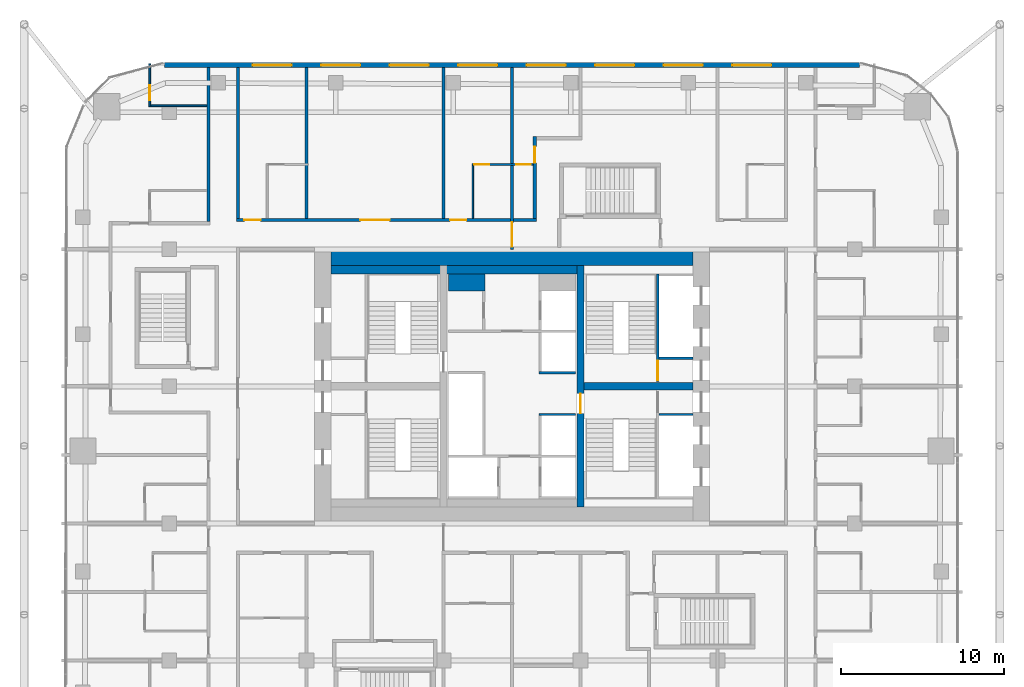
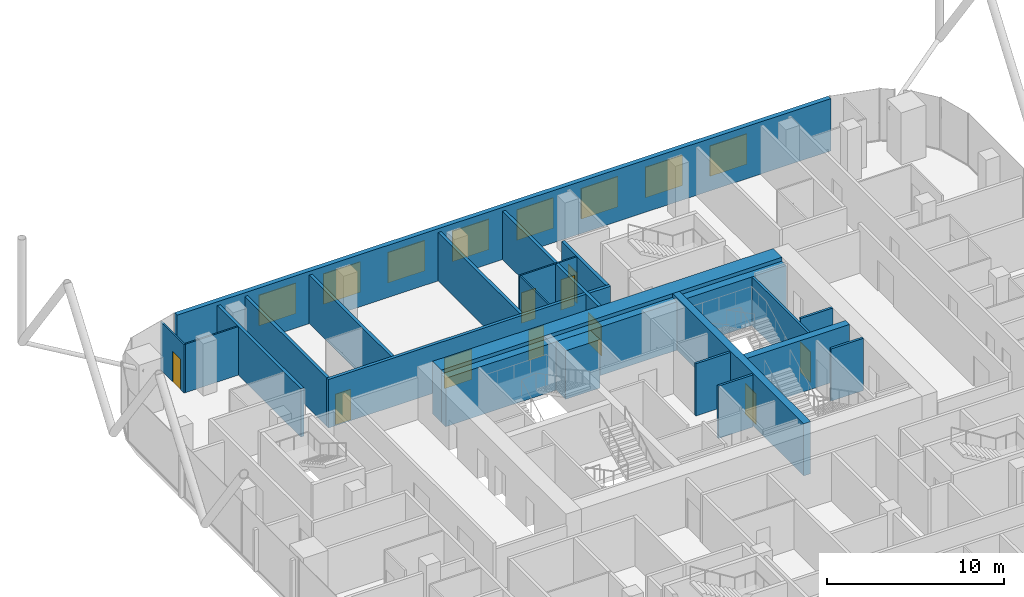
# One storey, part 29 of 33: 22 walls, 10 doors, 8 windows, 18 openings.
"""IFC4 building model written with IfcOpenShell, lengths in metres."""

from ifc_helpers import new_model, si_unit, direction, frame, frame_2d, origin, place, context, subcontext, project, spatial, rectangle, extrude, material, layer, layer_set, type_object, element, fill, save


model = new_model("IFC4")

# Units and contexts
model_context = context("Model", 3, precision=1e-05, world=origin(), true_north=direction((0.0, 1.0)))
body_context = subcontext(model_context, "Body", "Model", "MODEL_VIEW")
ifc_project = project(units=[si_unit("LENGTHUNIT", "METRE"), si_unit("AREAUNIT", "SQUARE_METRE"), si_unit("VOLUMEUNIT", "CUBIC_METRE"), si_unit("PLANEANGLEUNIT", "RADIAN"), si_unit("MASSUNIT", "GRAM", prefix="KILO")], contexts=[model_context])

# Site, building, storey
site_placement = place(None, origin())
site = spatial("IfcSite", under=ifc_project, at=site_placement, CompositionType="ELEMENT")
building_placement = place(site_placement, origin())
building = spatial("IfcBuilding", under=site, at=building_placement, Name="Marenta Gate Hotel Tower", CompositionType="ELEMENT")
storey_placement = place(building_placement, frame((0.0, 0.0, 137.300048828125)))
storey = spatial("IfcBuildingStorey", under=building, at=storey_placement, Name="L31", CompositionType="ELEMENT", Elevation=137.300048828125)

# Wall, openings, windows
ifc_material_1 = material(Name="Concrete C40 board-marked", Category="concrete")
ifc_layer_1 = layer(ifc_material_1, 0.300048828125)
ifc_layer_set_1 = layer_set([ifc_layer_1], Name="Concrete C40 board-marked")
wall_type_1 = type_object("IfcWallType", Name="Board-marked concrete wall 300 mm", PredefinedType="NOTDEFINED", material=ifc_layer_set_1)
wall_1_placement = place(storey_placement, frame((21.305908203125, 28.090087890625, 0.0), z_axis=(0.0, 0.0, 1.0), x_axis=(-1.0, 0.0, 0.0)))
wall_1 = element("IfcWall", 1, at=wall_1_placement, inside=storey, type_object=wall_type_1, Name="L31-CLD-N00", PredefinedType="NOTDEFINED", context=body_context, shape_type="SweptSolid", body=[
    extrude(rectangle(XDim=42.61181640625, YDim=0.300048828125, at=frame_2d((21.305908203125, 0.0))), origin(), (0.0, 0.0, 1.0), 3.599853515625),
])
opening_1_placement = place(wall_1_placement, frame((5.406005859375, 0.0, 0.89990234375)))
opening_1 = element("IfcOpeningElement", 2, at=opening_1_placement, cuts=wall_1, Name="Opening W1", PredefinedType="OPENING", context=body_context, shape_type="SweptSolid", body=[
    extrude(rectangle(XDim=2.39990234375, YDim=2.10009765625, at=frame_2d((1.199951171875, 1.050048828125))), frame((0.0, 0.14990234375, 0.0), z_axis=(0.0, -1.0, 0.0), x_axis=(1.0, 0.0, 0.0)), (0.0, 0.0, 1.0), 0.300048828125),
])
opening_2_placement = place(wall_1_placement, frame((9.60595703125, 0.0, 0.89990234375)))
opening_2 = element("IfcOpeningElement", 3, at=opening_2_placement, cuts=wall_1, Name="Opening W1", PredefinedType="OPENING", context=body_context, shape_type="SweptSolid", body=[
    extrude(rectangle(XDim=2.39990234375, YDim=2.10009765625, at=frame_2d((1.199951171875, 1.050048828125))), frame((0.0, 0.14990234375, 0.0), z_axis=(0.0, -1.0, 0.0), x_axis=(1.0, 0.0, 0.0)), (0.0, 0.0, 1.0), 0.300048828125),
])
opening_3_placement = place(wall_1_placement, frame((13.805908203125, 0.0, 0.89990234375)))
opening_3 = element("IfcOpeningElement", 4, at=opening_3_placement, cuts=wall_1, Name="Opening W1", PredefinedType="OPENING", context=body_context, shape_type="SweptSolid", body=[
    extrude(rectangle(XDim=2.39990234375, YDim=2.10009765625, at=frame_2d((1.199951171875, 1.050048828125))), frame((0.0, 0.14990234375, 0.0), z_axis=(0.0, -1.0, 0.0), x_axis=(1.0, 0.0, 0.0)), (0.0, 0.0, 1.0), 0.300048828125),
])
opening_4_placement = place(wall_1_placement, frame((18.005859375, 0.0, 0.89990234375)))
opening_4 = element("IfcOpeningElement", 5, at=opening_4_placement, cuts=wall_1, Name="Opening W1", PredefinedType="OPENING", context=body_context, shape_type="SweptSolid", body=[
    extrude(rectangle(XDim=2.39990234375, YDim=2.10009765625, at=frame_2d((1.199951171875, 1.050048828125))), frame((0.0, 0.14990234375, 0.0), z_axis=(0.0, -1.0, 0.0), x_axis=(1.0, 0.0, 0.0)), (0.0, 0.0, 1.0), 0.300048828125),
])
opening_5_placement = place(wall_1_placement, frame((22.205810546875, 0.0, 0.89990234375)))
opening_5 = element("IfcOpeningElement", 6, at=opening_5_placement, cuts=wall_1, Name="Opening W1", PredefinedType="OPENING", context=body_context, shape_type="SweptSolid", body=[
    extrude(rectangle(XDim=2.39990234375, YDim=2.10009765625, at=frame_2d((1.199951171875, 1.050048828125))), frame((0.0, 0.14990234375, 0.0), z_axis=(0.0, -1.0, 0.0), x_axis=(1.0, 0.0, 0.0)), (0.0, 0.0, 1.0), 0.300048828125),
])
opening_6_placement = place(wall_1_placement, frame((26.406005859375, 0.0, 0.89990234375)))
opening_6 = element("IfcOpeningElement", 7, at=opening_6_placement, cuts=wall_1, Name="Opening W1", PredefinedType="OPENING", context=body_context, shape_type="SweptSolid", body=[
    extrude(rectangle(XDim=2.39990234375, YDim=2.10009765625, at=frame_2d((1.199951171875, 1.050048828125))), frame((0.0, 0.14990234375, 0.0), z_axis=(0.0, -1.0, 0.0), x_axis=(1.0, 0.0, 0.0)), (0.0, 0.0, 1.0), 0.300048828125),
])
opening_7_placement = place(wall_1_placement, frame((30.60595703125, 0.0, 0.89990234375)))
opening_7 = element("IfcOpeningElement", 8, at=opening_7_placement, cuts=wall_1, Name="Opening W1", PredefinedType="OPENING", context=body_context, shape_type="SweptSolid", body=[
    extrude(rectangle(XDim=2.39990234375, YDim=2.10009765625, at=frame_2d((1.199951171875, 1.050048828125))), frame((0.0, 0.14990234375, 0.0), z_axis=(0.0, -1.0, 0.0), x_axis=(1.0, 0.0, 0.0)), (0.0, 0.0, 1.0), 0.300048828125),
])
opening_8_placement = place(wall_1_placement, frame((34.805908203125, 0.0, 0.89990234375)))
opening_8 = element("IfcOpeningElement", 9, at=opening_8_placement, cuts=wall_1, Name="Opening W1", PredefinedType="OPENING", context=body_context, shape_type="SweptSolid", body=[
    extrude(rectangle(XDim=2.39990234375, YDim=2.10009765625, at=frame_2d((1.199951171875, 1.050048828125))), frame((0.0, 0.14990234375, 0.0), z_axis=(0.0, -1.0, 0.0), x_axis=(1.0, 0.0, 0.0)), (0.0, 0.0, 1.0), 0.300048828125),
])
ifc_material_2 = material(Name="Tinted insulated glass in bronze anodised frame", Category="glass")
window_type = type_object("IfcWindowType", Name="Window W1 2400x2100 bronze frame", PartitioningType="SINGLE_PANEL", PredefinedType="WINDOW", material=ifc_material_2)
window_1_placement = place(opening_1_placement, origin())
window_1 = element("IfcWindow", 10, at=window_1_placement, inside=storey, type_object=window_type, Name="Window W1", OverallHeight=2.10009765625, OverallWidth=2.39990234375, PartitioningType="SINGLE_PANEL", PredefinedType="WINDOW", context=body_context, shape_type="SweptSolid", body=[
    extrude(rectangle(XDim=2.39990234375, YDim=2.10009765625, at=frame_2d((1.199951171875, 1.050048828125))), frame((0.0, 0.030029296875, 0.0), z_axis=(0.0, -1.0, 0.0), x_axis=(1.0, 0.0, 0.0)), (0.0, 0.0, 1.0), 0.06005859375),
])
fill(opening_1, window_1)
window_2_placement = place(opening_2_placement, origin())
window_2 = element("IfcWindow", 11, at=window_2_placement, inside=storey, type_object=window_type, Name="Window W1", OverallHeight=2.10009765625, OverallWidth=2.39990234375, PartitioningType="SINGLE_PANEL", PredefinedType="WINDOW", context=body_context, shape_type="SweptSolid", body=[
    extrude(rectangle(XDim=2.39990234375, YDim=2.10009765625, at=frame_2d((1.199951171875, 1.050048828125))), frame((0.0, 0.030029296875, 0.0), z_axis=(0.0, -1.0, 0.0), x_axis=(1.0, 0.0, 0.0)), (0.0, 0.0, 1.0), 0.06005859375),
])
fill(opening_2, window_2)
window_3_placement = place(opening_3_placement, origin())
window_3 = element("IfcWindow", 12, at=window_3_placement, inside=storey, type_object=window_type, Name="Window W1", OverallHeight=2.10009765625, OverallWidth=2.39990234375, PartitioningType="SINGLE_PANEL", PredefinedType="WINDOW", context=body_context, shape_type="SweptSolid", body=[
    extrude(rectangle(XDim=2.39990234375, YDim=2.10009765625, at=frame_2d((1.199951171875, 1.050048828125))), frame((0.0, 0.030029296875, 0.0), z_axis=(0.0, -1.0, 0.0), x_axis=(1.0, 0.0, 0.0)), (0.0, 0.0, 1.0), 0.06005859375),
])
fill(opening_3, window_3)
window_4_placement = place(opening_4_placement, origin())
window_4 = element("IfcWindow", 13, at=window_4_placement, inside=storey, type_object=window_type, Name="Window W1", OverallHeight=2.10009765625, OverallWidth=2.39990234375, PartitioningType="SINGLE_PANEL", PredefinedType="WINDOW", context=body_context, shape_type="SweptSolid", body=[
    extrude(rectangle(XDim=2.39990234375, YDim=2.10009765625, at=frame_2d((1.199951171875, 1.050048828125))), frame((0.0, 0.030029296875, 0.0), z_axis=(0.0, -1.0, 0.0), x_axis=(1.0, 0.0, 0.0)), (0.0, 0.0, 1.0), 0.06005859375),
])
fill(opening_4, window_4)
window_5_placement = place(opening_5_placement, origin())
window_5 = element("IfcWindow", 14, at=window_5_placement, inside=storey, type_object=window_type, Name="Window W1", OverallHeight=2.10009765625, OverallWidth=2.39990234375, PartitioningType="SINGLE_PANEL", PredefinedType="WINDOW", context=body_context, shape_type="SweptSolid", body=[
    extrude(rectangle(XDim=2.39990234375, YDim=2.10009765625, at=frame_2d((1.199951171875, 1.050048828125))), frame((0.0, 0.030029296875, 0.0), z_axis=(0.0, -1.0, 0.0), x_axis=(1.0, 0.0, 0.0)), (0.0, 0.0, 1.0), 0.06005859375),
])
fill(opening_5, window_5)
window_6_placement = place(opening_6_placement, origin())
window_6 = element("IfcWindow", 15, at=window_6_placement, inside=storey, type_object=window_type, Name="Window W1", OverallHeight=2.10009765625, OverallWidth=2.39990234375, PartitioningType="SINGLE_PANEL", PredefinedType="WINDOW", context=body_context, shape_type="SweptSolid", body=[
    extrude(rectangle(XDim=2.39990234375, YDim=2.10009765625, at=frame_2d((1.199951171875, 1.050048828125))), frame((0.0, 0.030029296875, 0.0), z_axis=(0.0, -1.0, 0.0), x_axis=(1.0, 0.0, 0.0)), (0.0, 0.0, 1.0), 0.06005859375),
])
fill(opening_6, window_6)
window_7_placement = place(opening_7_placement, origin())
window_7 = element("IfcWindow", 16, at=window_7_placement, inside=storey, type_object=window_type, Name="Window W1", OverallHeight=2.10009765625, OverallWidth=2.39990234375, PartitioningType="SINGLE_PANEL", PredefinedType="WINDOW", context=body_context, shape_type="SweptSolid", body=[
    extrude(rectangle(XDim=2.39990234375, YDim=2.10009765625, at=frame_2d((1.199951171875, 1.050048828125))), frame((0.0, 0.030029296875, 0.0), z_axis=(0.0, -1.0, 0.0), x_axis=(1.0, 0.0, 0.0)), (0.0, 0.0, 1.0), 0.06005859375),
])
fill(opening_7, window_7)
window_8_placement = place(opening_8_placement, origin())
window_8 = element("IfcWindow", 17, at=window_8_placement, inside=storey, type_object=window_type, Name="Window W1", OverallHeight=2.10009765625, OverallWidth=2.39990234375, PartitioningType="SINGLE_PANEL", PredefinedType="WINDOW", context=body_context, shape_type="SweptSolid", body=[
    extrude(rectangle(XDim=2.39990234375, YDim=2.10009765625, at=frame_2d((1.199951171875, 1.050048828125))), frame((0.0, 0.030029296875, 0.0), z_axis=(0.0, -1.0, 0.0), x_axis=(1.0, 0.0, 0.0)), (0.0, 0.0, 1.0), 0.06005859375),
])
fill(opening_8, window_8)

# Wall, opening, door
ifc_material_3 = material(Name="Concrete blockwork", Category="masonry")
ifc_layer_2 = layer(ifc_material_3, 0.199951171875)
ifc_layer_set_2 = layer_set([ifc_layer_2], Name="Concrete blockwork")
wall_type_2 = type_object("IfcWallType", Name="Compartment wall 200 REI 180", PredefinedType="PARTITIONING", material=ifc_layer_set_2)
wall_2_placement = place(storey_placement, frame((0.0, 16.800048828125, 0.0), z_axis=(0.0, 0.0, 1.0), x_axis=(0.0, 1.0, 0.0)))
wall_2 = element("IfcWall", 18, at=wall_2_placement, inside=storey, type_object=wall_type_2, Name="L31-PTN-W075", PredefinedType="PARTITIONING", context=body_context, shape_type="SweptSolid", body=[
    extrude(rectangle(XDim=11.139892578125, YDim=0.199951171875, at=frame_2d((5.56982421875, 0.0))), origin(), (0.0, 0.0, 1.0), 3.33984375),
])
opening_9_placement = place(wall_2_placement, frame((0.14990234375, 0.0, 0.0)))
opening_9 = element("IfcOpeningElement", 19, at=opening_9_placement, cuts=wall_2, Name="Opening G12-FD1", PredefinedType="OPENING", context=body_context, shape_type="SweptSolid", body=[
    extrude(rectangle(XDim=1.5, YDim=2.10009765625, at=frame_2d((0.75, 1.050048828125))), frame((0.0, 0.10009765625, 0.0), z_axis=(0.0, -1.0, 0.0), x_axis=(1.0, 0.0, 0.0)), (0.0, 0.0, 1.0), 0.199951171875),
])
ifc_material_4 = material(Name="Hollow steel door set", Category="steel")
door_type_1 = type_object("IfcDoorType", Name="Compartment fire door 1500x2100 EI 60", OperationType="DOUBLE_DOOR_DOUBLE_SWING", PredefinedType="DOOR", material=ifc_material_4)
door_1_placement = place(opening_9_placement, origin())
door_1 = element("IfcDoor", 20, at=door_1_placement, inside=storey, type_object=door_type_1, Name="L31-PD-FD01", OperationType="DOUBLE_DOOR_DOUBLE_SWING", OverallHeight=2.10009765625, OverallWidth=1.5, PredefinedType="DOOR", context=body_context, shape_type="SweptSolid", body=[
    extrude(rectangle(XDim=1.5, YDim=2.10009765625, at=frame_2d((0.75, 1.050048828125))), frame((0.0, 0.02490234375, 0.0), z_axis=(0.0, -1.0, 0.0), x_axis=(1.0, 0.0, 0.0)), (0.0, 0.0, 1.0), 0.050048828125),
])
fill(opening_9, door_1)

# Walls
ifc_material_5 = material(Name="Concrete C40", Category="concrete")
ifc_layer_3 = layer(ifc_material_5, 0.5)
ifc_layer_set_3 = layer_set([ifc_layer_3], Name="Concrete C40")
wall_type_3 = type_object("IfcWallType", Name="Core lining wall 500 REI 180", PredefinedType="PARTITIONING", material=ifc_layer_set_3)
wall_3_placement = place(storey_placement, frame((-11.10009765625, 15.550048828125, 0.0), z_axis=(0.0, 0.0, 1.0), x_axis=(1.0, 0.0, 0.0)))
element("IfcWall", 21, at=wall_3_placement, inside=storey, type_object=wall_type_3, Name="L31-CP-LN-N", PredefinedType="PARTITIONING", context=body_context, shape_type="SweptSolid", body=[
    extrude(rectangle(XDim=22.2001953125, YDim=0.5, at=frame_2d((11.10009765625, 0.0))), origin(), (0.0, 0.0, 1.0), 3.33984375),
])
ifc_material_6 = material(Name="Concrete blockwork", Category="masonry")
ifc_layer_4 = layer(ifc_material_6, 1.050048828125)
ifc_layer_set_4 = layer_set([ifc_layer_4], Name="Concrete blockwork")
wall_type_4 = type_object("IfcWallType", Name="Core room partition 1050 REI 180", PredefinedType="PARTITIONING", material=ifc_layer_set_4)
wall_4_placement = place(storey_placement, frame((-3.89990234375, 14.77490234375, 0.0), z_axis=(0.0, 0.0, 1.0), x_axis=(1.0, 0.0, 0.0)))
element("IfcWall", 22, at=wall_4_placement, inside=storey, type_object=wall_type_4, Name="L31-CP-CW-W-riser-N", PredefinedType="PARTITIONING", context=body_context, shape_type="SweptSolid", body=[
    extrude(rectangle(XDim=2.25, YDim=1.050048828125, at=frame_2d((1.125, 0.0))), origin(), (0.0, 0.0, 1.0), 3.33984375),
])
ifc_material_7 = material(Name="Concrete C40", Category="concrete")
ifc_layer_5 = layer(ifc_material_7, 0.14990234375)
ifc_layer_set_5 = layer_set([ifc_layer_5], Name="Concrete C40")
wall_type_5 = type_object("IfcWallType", Name="Core shaft wall 150 REI 180", PredefinedType="SHEAR", material=ifc_layer_set_5)
for number, where, z_axis, x_axis, name in (
    (23, (9.0, 6.675048828125, 0.0), (0.0, 0.0, 1.0), (1.0, 0.0, 0.0), "L31-SHF-SW-ES-2"),
    (24, (9.0, 10.125, 0.0), (0.0, 0.0, 1.0), (1.0, 0.0, 0.0), "L31-SHF-SW-EN-2"),
):
    element("IfcWall", number, at=place(storey_placement, frame(where, z_axis=z_axis, x_axis=x_axis)), inside=storey, type_object=wall_type_5, Name=name, PredefinedType="SHEAR", context=body_context, shape_type="SweptSolid", body=[
        extrude(rectangle(XDim=2.10009765625, YDim=0.14990234375, at=frame_2d((1.050048828125, 0.0))), origin(), (0.0, 0.0, 1.0), 3.599853515625),
    ])
for number, where, z_axis, x_axis, name in (
    (25, (1.64990234375, 6.675048828125, 0.0), (0.0, 0.0, 1.0), (1.0, 0.0, 0.0), "L31-SHF-CE-sep1"),
    (26, (1.64990234375, 9.22509765625, 0.0), (0.0, 0.0, 1.0), (1.0, 0.0, 0.0), "L31-SHF-CE-sep2"),
):
    element("IfcWall", number, at=place(storey_placement, frame(where, z_axis=z_axis, x_axis=x_axis)), inside=storey, type_object=wall_type_5, Name=name, PredefinedType="SHEAR", context=body_context, shape_type="SweptSolid", body=[
        extrude(rectangle(XDim=2.25, YDim=0.14990234375, at=frame_2d((1.125, 0.0))), origin(), (0.0, 0.0, 1.0), 3.599853515625),
    ])

# Wall, opening, door
ifc_material_8 = material(Name="Concrete C40", Category="concrete")
ifc_layer_6 = layer(ifc_material_8, 0.14990234375)
ifc_layer_set_6 = layer_set([ifc_layer_6], Name="Concrete C40")
wall_type_6 = type_object("IfcWallType", Name="Core stair enclosure wall 150 REI 180", PredefinedType="SHEAR", material=ifc_layer_set_6)
wall_5_placement = place(storey_placement, frame((8.925048828125, 8.699951171875, 0.0), z_axis=(0.0, 0.0, 1.0), x_axis=(0.0, 1.0, 0.0)))
wall_5 = element("IfcWall", 27, at=wall_5_placement, inside=storey, type_object=wall_type_6, Name="L31-SHF-SW-EN-3", PredefinedType="SHEAR", context=body_context, shape_type="SweptSolid", body=[
    extrude(rectangle(XDim=6.60009765625, YDim=0.14990234375, at=frame_2d((3.300048828125, 0.0))), origin(), (0.0, 0.0, 1.0), 3.33984375),
])
opening_10_placement = place(wall_5_placement, frame((0.074951171875, 0.0, 0.0)))
opening_10 = element("IfcOpeningElement", 28, at=opening_10_placement, cuts=wall_5, Name="Opening SD-EN", PredefinedType="OPENING", context=body_context, shape_type="SweptSolid", body=[
    extrude(rectangle(XDim=1.199951171875, YDim=2.10009765625, at=frame_2d((0.60009765625, 1.050048828125))), frame((0.0, 0.074951171875, 0.0), z_axis=(0.0, -1.0, 0.0), x_axis=(1.0, 0.0, 0.0)), (0.0, 0.0, 1.0), 0.14990234375),
])
ifc_material_9 = material(Name="Steel", Category="steel")
door_type_2 = type_object("IfcDoorType", Name="Core stair door 1200x2100 FD60", OperationType="SINGLE_SWING_LEFT", PredefinedType="DOOR", material=ifc_material_9)
door_2_placement = place(opening_10_placement, origin())
door_2 = element("IfcDoor", 29, at=door_2_placement, inside=storey, type_object=door_type_2, Name="SD-EN", OperationType="SINGLE_SWING_LEFT", OverallHeight=2.10009765625, OverallWidth=1.199951171875, PredefinedType="DOOR", context=body_context, shape_type="SweptSolid", body=[
    extrude(rectangle(XDim=1.199951171875, YDim=2.10009765625, at=frame_2d((0.60009765625, 1.050048828125))), frame((0.0, 0.02490234375, 0.0), z_axis=(0.0, -1.0, 0.0), x_axis=(1.0, 0.0, 0.0)), (0.0, 0.0, 1.0), 0.050048828125),
])
fill(opening_10, door_2)

# Wall
ifc_material_10 = material(Name="Concrete C70", Category="concrete")
ifc_layer_7 = layer(ifc_material_10, 1.0)
ifc_layer_set_7 = layer_set([ifc_layer_7], Name="Concrete C70")
wall_type_7 = type_object("IfcWallType", Name="Core wall 1000 C70", PredefinedType="SHEAR", material=ifc_layer_set_7)
wall_6_placement = place(storey_placement, frame((-11.10009765625, 16.300048828125, 0.0), z_axis=(0.0, 0.0, 1.0), x_axis=(1.0, 0.0, 0.0)))
element("IfcWall", 30, at=wall_6_placement, inside=storey, type_object=wall_type_7, Name="L31-CORE-N", PredefinedType="SHEAR", context=body_context, shape_type="SweptSolid", body=[
    extrude(rectangle(XDim=22.2001953125, YDim=1.0, at=frame_2d((11.10009765625, 0.0))), origin(), (0.0, 0.0, 1.0), 3.599853515625),
])

# Wall, opening, door
ifc_material_11 = material(Name="Concrete C70", Category="concrete")
ifc_layer_8 = layer(ifc_material_11, 0.449951171875)
ifc_layer_set_8 = layer_set([ifc_layer_8], Name="Concrete C70")
wall_type_8 = type_object("IfcWallType", Name="Core web 450 C70", PredefinedType="SHEAR", material=ifc_layer_set_8)
wall_7_placement = place(storey_placement, frame((4.199951171875, 1.0, 0.0), z_axis=(0.0, 0.0, 1.0), x_axis=(0.0, 1.0, 0.0)))
wall_7 = element("IfcWall", 31, at=wall_7_placement, inside=storey, type_object=wall_type_8, Name="L31-CORE-W2", PredefinedType="SHEAR", context=body_context, shape_type="SweptSolid", body=[
    extrude(rectangle(XDim=14.800048828125, YDim=0.449951171875, at=frame_2d((7.39990234375, 0.0))), origin(), (0.0, 0.0, 1.0), 3.599853515625),
])
opening_11_placement = place(wall_7_placement, frame((5.75, 0.0, 0.0)))
opening_11 = element("IfcOpeningElement", 32, at=opening_11_placement, cuts=wall_7, Name="Opening WD-E", PredefinedType="OPENING", context=body_context, shape_type="SweptSolid", body=[
    extrude(rectangle(XDim=1.199951171875, YDim=2.10009765625, at=frame_2d((0.60009765625, 1.050048828125))), frame((0.0, 0.22509765625, 0.0), z_axis=(0.0, -1.0, 0.0), x_axis=(1.0, 0.0, 0.0)), (0.0, 0.0, 1.0), 0.449951171875),
])
door_3_placement = place(opening_11_placement, origin())
door_3 = element("IfcDoor", 33, at=door_3_placement, inside=storey, type_object=door_type_2, Name="WD-E", OperationType="SINGLE_SWING_LEFT", OverallHeight=2.10009765625, OverallWidth=1.199951171875, PredefinedType="DOOR", context=body_context, shape_type="SweptSolid", body=[
    extrude(rectangle(XDim=1.199951171875, YDim=2.10009765625, at=frame_2d((0.60009765625, 1.050048828125))), frame((0.0, 0.02490234375, 0.0), z_axis=(0.0, -1.0, 0.0), x_axis=(1.0, 0.0, 0.0)), (0.0, 0.0, 1.0), 0.050048828125),
])
fill(opening_11, door_3)

# Wall
wall_8_placement = place(storey_placement, frame((4.425048828125, 8.39990234375, 0.0), z_axis=(0.0, 0.0, 1.0), x_axis=(1.0, 0.0, 0.0)))
element("IfcWall", 34, at=wall_8_placement, inside=storey, type_object=wall_type_8, Name="L31-CORE-W4", PredefinedType="SHEAR", context=body_context, shape_type="SweptSolid", body=[
    extrude(rectangle(XDim=6.675048828125, YDim=0.449951171875, at=frame_2d((3.33740234375, 0.0))), origin(), (0.0, 0.0, 1.0), 3.599853515625),
])

# Wall, opening, door
ifc_material_12 = material(Name="Gypsum board on steel stud", Category="steel")
ifc_layer_9 = layer(ifc_material_12, 0.199951171875)
ifc_layer_set_9 = layer_set([ifc_layer_9], Name="Gypsum board on steel stud")
wall_type_9 = type_object("IfcWallType", Name="Room corridor wall 200 EI 60", PredefinedType="PARTITIONING", material=ifc_layer_set_9)
wall_9_placement = place(storey_placement, frame((1.39990234375, 18.699951171875, 0.0), z_axis=(0.0, 0.0, 1.0), x_axis=(0.0, 1.0, 0.0)))
wall_9 = element("IfcWall", 35, at=wall_9_placement, inside=storey, type_object=wall_type_9, Name="L31-PTN-W072", PredefinedType="PARTITIONING", context=body_context, shape_type="SweptSolid", body=[
    extrude(rectangle(XDim=5.0, YDim=0.199951171875, at=frame_2d((2.5, 0.0))), origin(), (0.0, 0.0, 1.0), 3.33984375),
])
opening_12_placement = place(wall_9_placement, frame((3.39990234375, 0.0, 0.0)))
opening_12 = element("IfcOpeningElement", 36, at=opening_12_placement, cuts=wall_9, Name="Opening G12-34", PredefinedType="OPENING", context=body_context, shape_type="SweptSolid", body=[
    extrude(rectangle(XDim=1.0, YDim=2.10009765625, at=frame_2d((0.5, 1.050048828125))), frame((0.0, 0.10009765625, 0.0), z_axis=(0.0, -1.0, 0.0), x_axis=(1.0, 0.0, 0.0)), (0.0, 0.0, 1.0), 0.199951171875),
])
ifc_material_13 = material(Name="Timber door leaf", Category="wood")
door_type_3 = type_object("IfcDoorType", Name="Guest room door 1000x2100 EI 30", OperationType="NOTDEFINED", PredefinedType="DOOR", material=ifc_material_13)
door_4_placement = place(opening_12_placement, origin())
door_4 = element("IfcDoor", 37, at=door_4_placement, inside=storey, type_object=door_type_3, Name="L31-PD-D034", OperationType="SINGLE_SWING_RIGHT", OverallHeight=2.10009765625, OverallWidth=1.0, PredefinedType="DOOR", context=body_context, shape_type="SweptSolid", body=[
    extrude(rectangle(XDim=1.0, YDim=2.10009765625, at=frame_2d((0.5, 1.050048828125))), frame((0.0, 0.02490234375, 0.0), z_axis=(0.0, -1.0, 0.0), x_axis=(1.0, 0.0, 0.0)), (0.0, 0.0, 1.0), 0.050048828125),
])
fill(opening_12, door_4)

# Walls
wall_10_placement = place(storey_placement, frame((-16.800048828125, 18.699951171875, 0.0), z_axis=(0.0, 0.0, 1.0), x_axis=(0.0, 1.0, 0.0)))
element("IfcWall", 38, at=wall_10_placement, inside=storey, type_object=wall_type_9, Name="L31-PTN-W105", PredefinedType="PARTITIONING", context=body_context, shape_type="SweptSolid", body=[
    extrude(rectangle(XDim=9.239990234375, YDim=0.199951171875, at=frame_2d((4.6201171875, 0.0))), origin(), (0.0, 0.0, 1.0), 3.33984375),
])
wall_11_placement = place(storey_placement, frame((-18.60009765625, 18.5, 0.0), z_axis=(0.0, 0.0, 1.0), x_axis=(0.0, 1.0, 0.0)))
element("IfcWall", 39, at=wall_11_placement, inside=storey, type_object=wall_type_9, Name="L31-PTN-W111", PredefinedType="PARTITIONING", context=body_context, shape_type="SweptSolid", body=[
    extrude(rectangle(XDim=9.43994140625, YDim=0.199951171875, at=frame_2d((4.719970703125, 0.0))), origin(), (0.0, 0.0, 1.0), 3.33984375),
])

# Wall, openings, doors
wall_12_placement = place(storey_placement, frame((-16.89990234375, 18.60009765625, 0.0), z_axis=(0.0, 0.0, 1.0), x_axis=(1.0, 0.0, 0.0)))
wall_12 = element("IfcWall", 40, at=wall_12_placement, inside=storey, type_object=wall_type_9, Name="L31-PTN-W112", PredefinedType="PARTITIONING", context=body_context, shape_type="SweptSolid", body=[
    extrude(rectangle(XDim=18.39990234375, YDim=0.199951171875, at=frame_2d((9.199951171875, 0.0))), origin(), (0.0, 0.0, 1.0), 3.33984375),
])
opening_13_placement = place(wall_12_placement, frame((0.5, 0.0, 0.0)))
opening_13 = element("IfcOpeningElement", 41, at=opening_13_placement, cuts=wall_12, Name="Opening G12-29", PredefinedType="OPENING", context=body_context, shape_type="SweptSolid", body=[
    extrude(rectangle(XDim=1.0, YDim=2.10009765625, at=frame_2d((0.5, 1.050048828125))), frame((0.0, 0.10009765625, 0.0), z_axis=(0.0, -1.0, 0.0), x_axis=(1.0, 0.0, 0.0)), (0.0, 0.0, 1.0), 0.199951171875),
])
opening_14_placement = place(wall_12_placement, frame((7.60009765625, 0.0, 0.0)))
opening_14 = element("IfcOpeningElement", 42, at=opening_14_placement, cuts=wall_12, Name="Opening G12-31", PredefinedType="OPENING", context=body_context, shape_type="SweptSolid", body=[
    extrude(rectangle(XDim=1.800048828125, YDim=2.10009765625, at=frame_2d((0.89990234375, 1.050048828125))), frame((0.0, 0.10009765625, 0.0), z_axis=(0.0, -1.0, 0.0), x_axis=(1.0, 0.0, 0.0)), (0.0, 0.0, 1.0), 0.199951171875),
])
opening_15_placement = place(wall_12_placement, frame((13.10009765625, 0.0, 0.0)))
opening_15 = element("IfcOpeningElement", 43, at=opening_15_placement, cuts=wall_12, Name="Opening G12-32", PredefinedType="OPENING", context=body_context, shape_type="SweptSolid", body=[
    extrude(rectangle(XDim=1.0, YDim=2.10009765625, at=frame_2d((0.5, 1.050048828125))), frame((0.0, 0.10009765625, 0.0), z_axis=(0.0, -1.0, 0.0), x_axis=(1.0, 0.0, 0.0)), (0.0, 0.0, 1.0), 0.199951171875),
])
door_5_placement = place(opening_13_placement, origin())
door_5 = element("IfcDoor", 44, at=door_5_placement, inside=storey, type_object=door_type_3, Name="L31-PD-D029", OperationType="SINGLE_SWING_RIGHT", OverallHeight=2.10009765625, OverallWidth=1.0, PredefinedType="DOOR", context=body_context, shape_type="SweptSolid", body=[
    extrude(rectangle(XDim=1.0, YDim=2.10009765625, at=frame_2d((0.5, 1.050048828125))), frame((0.0, 0.02490234375, 0.0), z_axis=(0.0, -1.0, 0.0), x_axis=(1.0, 0.0, 0.0)), (0.0, 0.0, 1.0), 0.050048828125),
])
fill(opening_13, door_5)
door_6_placement = place(opening_15_placement, origin())
door_6 = element("IfcDoor", 45, at=door_6_placement, inside=storey, type_object=door_type_3, Name="L31-PD-D032", OperationType="SINGLE_SWING_LEFT", OverallHeight=2.10009765625, OverallWidth=1.0, PredefinedType="DOOR", context=body_context, shape_type="SweptSolid", body=[
    extrude(rectangle(XDim=1.0, YDim=2.10009765625, at=frame_2d((0.5, 1.050048828125))), frame((0.0, 0.02490234375, 0.0), z_axis=(0.0, -1.0, 0.0), x_axis=(1.0, 0.0, 0.0)), (0.0, 0.0, 1.0), 0.050048828125),
])
fill(opening_15, door_6)
ifc_material_14 = material(Name="Timber door leaf", Category="wood")
door_type_4 = type_object("IfcDoorType", Name="Room amenity door 1800x2100 EI 30", OperationType="DOUBLE_DOOR_SINGLE_SWING", PredefinedType="DOOR", material=ifc_material_14)
door_7_placement = place(opening_14_placement, origin())
door_7 = element("IfcDoor", 46, at=door_7_placement, inside=storey, type_object=door_type_4, Name="L31-PD-D031", OperationType="DOUBLE_DOOR_SINGLE_SWING", OverallHeight=2.10009765625, OverallWidth=1.800048828125, PredefinedType="DOOR", context=body_context, shape_type="SweptSolid", body=[
    extrude(rectangle(XDim=1.800048828125, YDim=2.10009765625, at=frame_2d((0.89990234375, 1.050048828125))), frame((0.0, 0.02490234375, 0.0), z_axis=(0.0, -1.0, 0.0), x_axis=(1.0, 0.0, 0.0)), (0.0, 0.0, 1.0), 0.050048828125),
])
fill(opening_14, door_7)

# Wall
ifc_material_15 = material(Name="Gypsum board on steel stud", Category="steel")
ifc_layer_10 = layer(ifc_material_15, 0.10009765625)
ifc_layer_set_10 = layer_set([ifc_layer_10], Name="Gypsum board on steel stud")
wall_type_10 = type_object("IfcWallType", Name="Room partition 100", PredefinedType="PARTITIONING", material=ifc_layer_set_10)
wall_13_placement = place(storey_placement, frame((-2.39990234375, 18.699951171875, 0.0), z_axis=(0.0, 0.0, 1.0), x_axis=(0.0, 1.0, 0.0)))
element("IfcWall", 47, at=wall_13_placement, inside=storey, type_object=wall_type_10, Name="L31-PTN-W079", PredefinedType="PARTITIONING", context=body_context, shape_type="SweptSolid", body=[
    extrude(rectangle(XDim=3.25, YDim=0.10009765625, at=frame_2d((1.625, 0.0))), origin(), (0.0, 0.0, 1.0), 3.33984375),
])

# Wall, openings, doors
wall_14_placement = place(storey_placement, frame((-2.449951171875, 22.0, 0.0), z_axis=(0.0, 0.0, 1.0), x_axis=(1.0, 0.0, 0.0)))
wall_14 = element("IfcWall", 48, at=wall_14_placement, inside=storey, type_object=wall_type_10, Name="L31-PTN-W119", PredefinedType="PARTITIONING", context=body_context, shape_type="SweptSolid", body=[
    extrude(rectangle(XDim=3.75, YDim=0.10009765625, at=frame_2d((1.875, 0.0))), origin(), (0.0, 0.0, 1.0), 3.33984375),
])
opening_16_placement = place(wall_14_placement, frame((0.14990234375, 0.0, 0.0)))
opening_16 = element("IfcOpeningElement", 49, at=opening_16_placement, cuts=wall_14, Name="Opening G12-33", PredefinedType="OPENING", context=body_context, shape_type="SweptSolid", body=[
    extrude(rectangle(XDim=0.89990234375, YDim=2.10009765625, at=frame_2d((0.449951171875, 1.050048828125))), frame((0.0, 0.050048828125, 0.0), z_axis=(0.0, -1.0, 0.0), x_axis=(1.0, 0.0, 0.0)), (0.0, 0.0, 1.0), 0.10009765625),
])
opening_17_placement = place(wall_14_placement, frame((2.699951171875, 0.0, 0.0)))
opening_17 = element("IfcOpeningElement", 50, at=opening_17_placement, cuts=wall_14, Name="Opening G12-35", PredefinedType="OPENING", context=body_context, shape_type="SweptSolid", body=[
    extrude(rectangle(XDim=0.89990234375, YDim=2.10009765625, at=frame_2d((0.449951171875, 1.050048828125))), frame((0.0, 0.050048828125, 0.0), z_axis=(0.0, -1.0, 0.0), x_axis=(1.0, 0.0, 0.0)), (0.0, 0.0, 1.0), 0.10009765625),
])
ifc_material_16 = material(Name="Timber door leaf", Category="wood")
door_type_5 = type_object("IfcDoorType", Name="Guest bathroom door 900x2100", OperationType="NOTDEFINED", PredefinedType="DOOR", material=ifc_material_16)
door_8_placement = place(opening_16_placement, origin())
door_8 = element("IfcDoor", 51, at=door_8_placement, inside=storey, type_object=door_type_5, Name="L31-PD-D033", OperationType="SINGLE_SWING_RIGHT", OverallHeight=2.10009765625, OverallWidth=0.89990234375, PredefinedType="DOOR", context=body_context, shape_type="SweptSolid", body=[
    extrude(rectangle(XDim=0.89990234375, YDim=2.10009765625, at=frame_2d((0.449951171875, 1.050048828125))), frame((0.0, 0.02490234375, 0.0), z_axis=(0.0, -1.0, 0.0), x_axis=(1.0, 0.0, 0.0)), (0.0, 0.0, 1.0), 0.050048828125),
])
fill(opening_16, door_8)
door_9_placement = place(opening_17_placement, origin())
door_9 = element("IfcDoor", 52, at=door_9_placement, inside=storey, type_object=door_type_5, Name="L31-PD-D035", OperationType="SINGLE_SWING_LEFT", OverallHeight=2.10009765625, OverallWidth=0.89990234375, PredefinedType="DOOR", context=body_context, shape_type="SweptSolid", body=[
    extrude(rectangle(XDim=0.89990234375, YDim=2.10009765625, at=frame_2d((0.449951171875, 1.050048828125))), frame((0.0, 0.02490234375, 0.0), z_axis=(0.0, -1.0, 0.0), x_axis=(1.0, 0.0, 0.0)), (0.0, 0.0, 1.0), 0.050048828125),
])
fill(opening_17, door_9)

# Wall, opening, door
wall_15_placement = place(storey_placement, frame((-22.199951171875, 25.550048828125, 0.0), z_axis=(0.0, 0.0, 1.0), x_axis=(0.0, 1.0, 0.0)))
wall_15 = element("IfcWall", 53, at=wall_15_placement, inside=storey, type_object=wall_type_10, Name="L31-PTN-W124", PredefinedType="PARTITIONING", context=body_context, shape_type="SweptSolid", body=[
    extrude(rectangle(XDim=2.6318359375, YDim=0.10009765625, at=frame_2d((1.31591796875, 0.0))), origin(), (0.0, 0.0, 1.0), 3.33984375),
])
opening_18_placement = place(wall_15_placement, frame((0.39990234375, 0.0, 0.0)))
opening_18 = element("IfcOpeningElement", 54, at=opening_18_placement, cuts=wall_15, Name="Opening G12-64", PredefinedType="OPENING", context=body_context, shape_type="SweptSolid", body=[
    extrude(rectangle(XDim=0.89990234375, YDim=2.10009765625, at=frame_2d((0.449951171875, 1.050048828125))), frame((0.0, 0.050048828125, 0.0), z_axis=(0.0, -1.0, 0.0), x_axis=(1.0, 0.0, 0.0)), (0.0, 0.0, 1.0), 0.10009765625),
])
ifc_material_17 = material(Name="Timber door leaf", Category="wood")
door_type_6 = type_object("IfcDoorType", Name="Room inner door 900x2100", OperationType="NOTDEFINED", PredefinedType="DOOR", material=ifc_material_17)
door_10_placement = place(opening_18_placement, origin())
door_10 = element("IfcDoor", 55, at=door_10_placement, inside=storey, type_object=door_type_6, Name="L31-PD-D064", OperationType="SINGLE_SWING_RIGHT", OverallHeight=2.10009765625, OverallWidth=0.89990234375, PredefinedType="DOOR", context=body_context, shape_type="SweptSolid", body=[
    extrude(rectangle(XDim=0.89990234375, YDim=2.10009765625, at=frame_2d((0.449951171875, 1.050048828125))), frame((0.0, 0.02490234375, 0.0), z_axis=(0.0, -1.0, 0.0), x_axis=(1.0, 0.0, 0.0)), (0.0, 0.0, 1.0), 0.050048828125),
])
fill(opening_18, door_10)

# Walls
wall_16_placement = place(storey_placement, frame((-22.14990234375, 25.60009765625, 0.0), z_axis=(0.0, 0.0, 1.0), x_axis=(1.0, 0.0, 0.0)))
element("IfcWall", 56, at=wall_16_placement, inside=storey, type_object=wall_type_10, Name="L31-PTN-W129", PredefinedType="PARTITIONING", context=body_context, shape_type="SweptSolid", body=[
    extrude(rectangle(XDim=3.449951171875, YDim=0.10009765625, at=frame_2d((1.72509765625, 0.0))), origin(), (0.0, 0.0, 1.0), 3.33984375),
])
ifc_material_18 = material(Name="Gypsum board on steel stud", Category="steel")
ifc_layer_11 = layer(ifc_material_18, 0.199951171875)
ifc_layer_set_11 = layer_set([ifc_layer_11], Name="Gypsum board on steel stud")
wall_type_11 = type_object("IfcWallType", Name="Room party wall 200 EI 60", PredefinedType="PARTITIONING", material=ifc_layer_set_11)
for number, where, z_axis, x_axis, name in (
    (57, (-4.199951171875, 18.699951171875, 0.0), (0.0, 0.0, 1.0), (0.0, 1.0, 0.0), "L31-PTN-W083"),
    (58, (-12.60009765625, 18.699951171875, 0.0), (0.0, 0.0, 1.0), (0.0, 1.0, 0.0), "L31-PTN-W098"),
):
    element("IfcWall", number, at=place(storey_placement, frame(where, z_axis=z_axis, x_axis=x_axis)), inside=storey, type_object=wall_type_11, Name=name, PredefinedType="PARTITIONING", context=body_context, shape_type="SweptSolid", body=[
        extrude(rectangle(XDim=9.239990234375, YDim=0.199951171875, at=frame_2d((4.6201171875, 0.0))), origin(), (0.0, 0.0, 1.0), 3.33984375),
    ])

save(model, "model.ifc")
